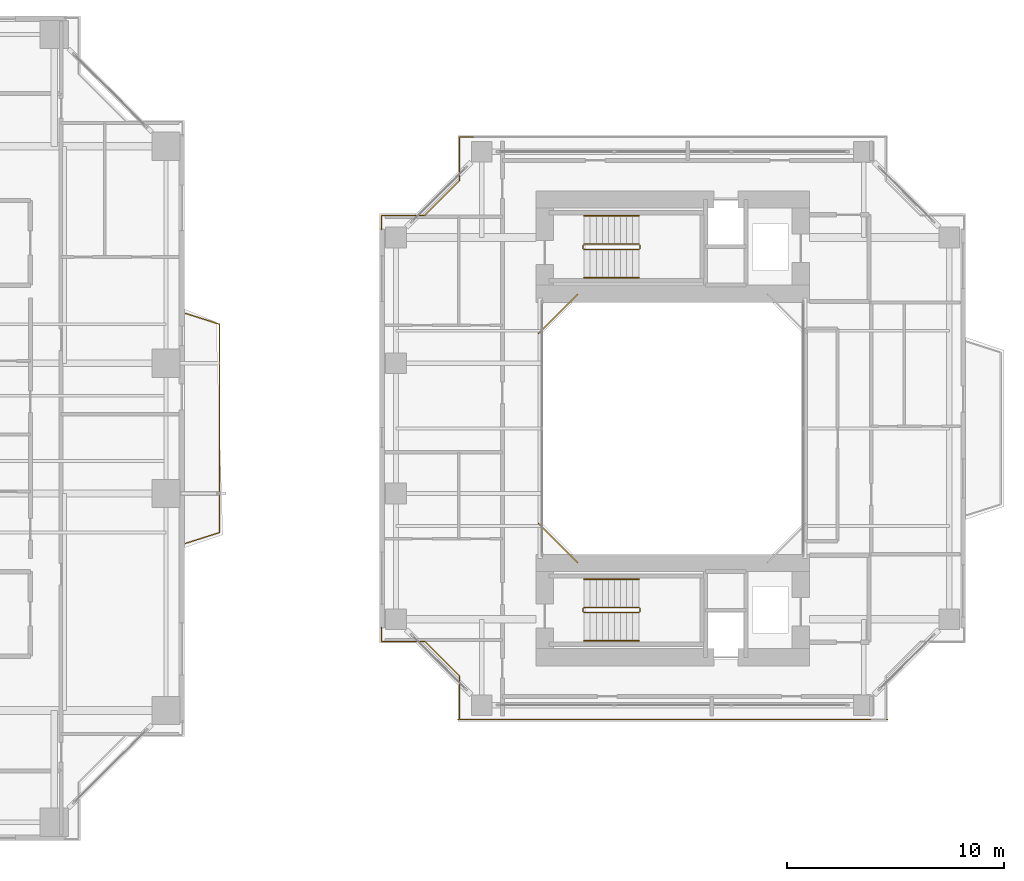
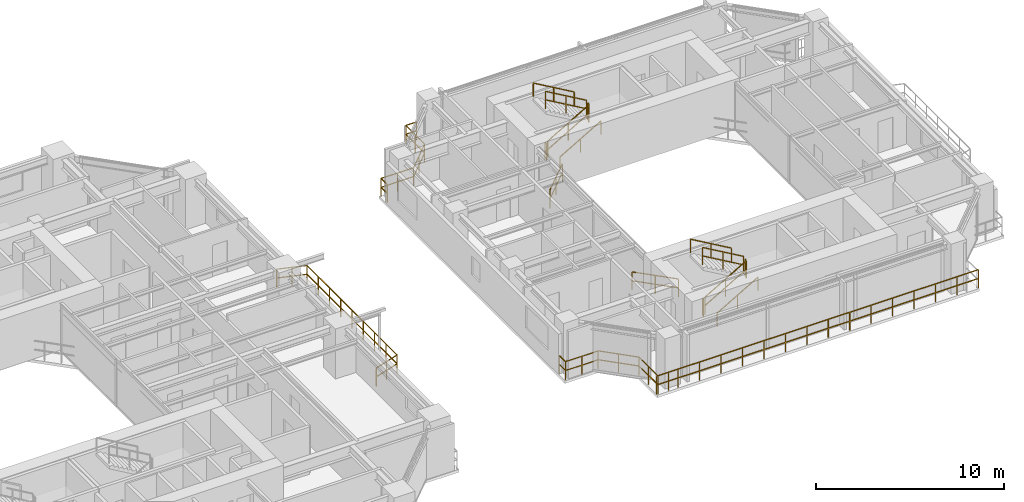
# One storey, part 22 of 23: 18 railings.
"""IFC4 building model written with IfcOpenShell, lengths in metres."""

import ifcopenshell
import ifcopenshell.guid

model = None  # the IFC model being written
_history = None  # IfcOwnerHistory: only IFC2X3 demands one
_inside = {}  # id of a spatial element -> (the spatial element, [elements in it])
_under = {}  # id of a project, library or spatial element -> (it, [spatial elements below it])
_declared = {}  # id of a project -> (the project, [libraries it declares])
_typed = {}  # id of a type object -> (the type object, [elements of that type])
_made_of = {}  # id of a material, layer set ... -> (it, [elements and type objects made of it])


def new_model(schema):
    """Start an empty IFC model of exactly this schema.

    Asked for "IFC4X3", IfcOpenShell would pick the latest addendum, in which some entities
    have other attributes; the version numbers below select the first issue.
    IFC2X3 requires an IfcOwnerHistory on every rooted entity: one is made here for all.
    """
    global model, _history
    if schema == "IFC4X3":
        model = ifcopenshell.file(schema_version=(4, 3, 0, 0))
    else:
        model = ifcopenshell.file(schema=schema)
    _inside.clear()
    _under.clear()
    _declared.clear()
    _typed.clear()
    _made_of.clear()
    _history = None
    if model.schema == "IFC2X3":
        org = make("IfcOrganization", Name="unknown")
        user = make(
            "IfcPersonAndOrganization",
            ThePerson=make("IfcPerson", FamilyName="unknown"),
            TheOrganization=org,
        )
        app = make(
            "IfcApplication",
            ApplicationDeveloper=org,
            Version="unknown",
            ApplicationFullName="unknown",
            ApplicationIdentifier="unknown",
        )
        _history = make(
            "IfcOwnerHistory",
            OwningUser=user,
            OwningApplication=app,
            ChangeAction="ADDED",
            CreationDate=0,
        )
    return model


def make(cls, **values):
    """One entity of the class cls with the attributes given. An attribute that is None is left unset."""
    return model.create_entity(
        cls, **{name: value for name, value in values.items() if value is not None}
    )


def rooted(cls, **values):
    """An entity with a GlobalId (a new one), such as an element, a storey or a relation."""
    return make(cls, GlobalId=ifcopenshell.guid.new(), OwnerHistory=_history, **values)


def si_unit(unit_type, name, prefix=None):
    """IfcSIUnit, for example si_unit("LENGTHUNIT", "METRE", prefix="MILLI")."""
    return make("IfcSIUnit", UnitType=unit_type, Prefix=prefix, Name=name)


def assignment(units):
    """IfcUnitAssignment: the units of a project."""
    return None if units is None else make("IfcUnitAssignment", Units=units)


def point(xyz):
    """IfcCartesianPoint."""
    return None if xyz is None else make("IfcCartesianPoint", Coordinates=xyz)


def direction(xyz):
    """IfcDirection."""
    return None if xyz is None else make("IfcDirection", DirectionRatios=xyz)


def frame(location, z_axis=None, x_axis=None):
    """IfcAxis2Placement3D, a coordinate frame: its origin and axes. An axis left out is left unset."""
    return make(
        "IfcAxis2Placement3D",
        Location=point(location),
        Axis=direction(z_axis),
        RefDirection=direction(x_axis),
    )


def frame_2d(location, x_axis=None):
    """IfcAxis2Placement2D, a coordinate frame in the plane: its origin and x axis."""
    return make(
        "IfcAxis2Placement2D", Location=point(location), RefDirection=direction(x_axis)
    )


def origin():
    """The frame at (0, 0, 0) with its axes left unset."""
    return frame((0.0, 0.0, 0.0))


def origin_2d():
    """The frame at (0, 0) in the plane with its x axis left unset."""
    return frame_2d((0.0, 0.0))


def place(relative_to, where):
    """IfcLocalPlacement: puts the frame where relative to a parent placement (None: the world)."""
    return make(
        "IfcLocalPlacement", PlacementRelTo=relative_to, RelativePlacement=where
    )


def context(
    kind, dimensions, precision=None, world=None, true_north=None, identifier=None
):
    """IfcGeometricRepresentationContext, for example the 3D "Model" context."""
    return make(
        "IfcGeometricRepresentationContext",
        ContextIdentifier=identifier,
        ContextType=kind,
        CoordinateSpaceDimension=dimensions,
        Precision=precision,
        WorldCoordinateSystem=world,
        TrueNorth=true_north,
    )


def subcontext(parent, identifier, kind, view, scale=None):
    """IfcGeometricRepresentationSubContext, for example "Body" below "Model"."""
    return make(
        "IfcGeometricRepresentationSubContext",
        ContextIdentifier=identifier,
        ContextType=kind,
        ParentContext=parent,
        TargetScale=scale,
        TargetView=view,
    )


def project(units=None, contexts=None):
    """IfcProject with its units and contexts."""
    return rooted(
        "IfcProject",
        Name="project",
        RepresentationContexts=contexts,
        UnitsInContext=assignment(units),
    )


def spatial(cls, under=None, at=None, **own):
    """A site, building, storey or space (cls), placed at a placement, below another one or the project."""
    s = rooted(cls, ObjectPlacement=at, **own)
    if under is not None:
        _under.setdefault(under.id(), (under, []))[1].append(s)
    return s


def profile(cls, at=None, kind="AREA", **sizes):
    """A parametric profile (cls). Its sizes go by their IFC names, for example OverallWidth=200.0."""
    return make(cls, ProfileType=kind, Position=at, **sizes)


def rectangle(**sizes):
    """IfcRectangleProfileDef."""
    return profile("IfcRectangleProfileDef", **sizes)


def extrude(swept, where, along, depth):
    """IfcExtrudedAreaSolid: the profile swept, set in the frame where, extruded along a direction by depth."""
    return make(
        "IfcExtrudedAreaSolid",
        SweptArea=swept,
        Position=where,
        ExtrudedDirection=direction(along),
        Depth=depth,
    )


def shape(context_of_items, identifier, shape_type, items):
    """IfcShapeRepresentation: the items that make up one representation, for example the "Body"."""
    return make(
        "IfcShapeRepresentation",
        ContextOfItems=context_of_items,
        RepresentationIdentifier=identifier,
        RepresentationType=shape_type,
        Items=items,
    )


def material(Name=None, Category=None):
    """IfcMaterial."""
    return make("IfcMaterial", Name=Name, Category=Category)


def made_of(thing, what):
    """Note that an element or type object is made of a material, layer set ...; save() writes the relation."""
    if what is not None:
        _made_of.setdefault(what.id(), (what, []))[1].append(thing)
    return thing


def type_object(cls, material=None, **own):
    """A type object (cls), such as IfcWallType, which elements share."""
    return made_of(rooted(cls, **own), material)


def element(
    cls,
    number,
    at=None,
    inside=None,
    cuts=None,
    type_object=None,
    material=None,
    context=None,
    identifier="Body",
    shape_type=None,
    held_by="IfcProductDefinitionShape",
    body=None,
    shapes=None,
    **own,
):
    """One element of the class cls, such as IfcWall. Its Tag is "e" and its number.

    at: its placement. inside: the storey or other place that contains it. cuts: it is an
    opening in that element (IfcRelVoidsElement). A single representation is given by context,
    identifier, shape_type and body (its items); several are given by shapes. held_by: the class
    of the entity that holds the representations. save() writes the other relations.
    """
    e = rooted(cls, Tag="e%d" % number, ObjectPlacement=at, **own)
    if body is not None:
        shapes = [shape(context, identifier, shape_type, body)]
    if shapes is not None:
        e.Representation = make(held_by, Representations=shapes)
    if inside is not None:
        _inside.setdefault(inside.id(), (inside, []))[1].append(e)
    if cuts is not None:
        rooted(
            "IfcRelVoidsElement", RelatingBuildingElement=cuts, RelatedOpeningElement=e
        )
    if type_object is not None:
        _typed.setdefault(type_object.id(), (type_object, []))[1].append(e)
    return made_of(e, material)


def aggregate(whole, parts):
    """IfcRelAggregates: a whole, such as a stair, and the parts it consists of."""
    return rooted("IfcRelAggregates", RelatingObject=whole, RelatedObjects=parts)


def save(model, path):
    """Write the relations noted so far, then the file.

    IfcRelAggregates (storeys below a building ...), IfcRelContainedInSpatialStructure (elements
    in a storey), IfcRelDefinesByType, IfcRelAssociatesMaterial and IfcRelDeclares: one each for
    every whole, place, type object, material and project.
    """
    for whole, parts in _under.values():
        aggregate(whole, parts)
    for where, things in _inside.values():
        rooted(
            "IfcRelContainedInSpatialStructure",
            RelatedElements=things,
            RelatingStructure=where,
        )
    for kind, things in _typed.values():
        rooted("IfcRelDefinesByType", RelatedObjects=things, RelatingType=kind)
    for what, things in _made_of.values():
        rooted("IfcRelAssociatesMaterial", RelatedObjects=things, RelatingMaterial=what)
    for by, libraries in _declared.values():
        rooted("IfcRelDeclares", RelatingContext=by, RelatedDefinitions=libraries)
    model.write(path)


model = new_model("IFC4")

# Units and contexts
model_context = context("Model", 3, precision=1e-05, world=origin(), true_north=direction((0.0, 1.0)))
body_context = subcontext(model_context, "Body", "Model", "MODEL_VIEW")
ifc_project = project(units=[si_unit("LENGTHUNIT", "METRE"), si_unit("AREAUNIT", "SQUARE_METRE"), si_unit("VOLUMEUNIT", "CUBIC_METRE"), si_unit("PLANEANGLEUNIT", "RADIAN"), si_unit("MASSUNIT", "GRAM", prefix="KILO"), si_unit("THERMODYNAMICTEMPERATUREUNIT", "KELVIN"), si_unit("POWERUNIT", "WATT")], contexts=[model_context])

# Site, building, storey
site_placement = place(None, origin())
site = spatial("IfcSite", under=ifc_project, at=site_placement, CompositionType="ELEMENT")
building_placement = place(site_placement, origin())
building = spatial("IfcBuilding", under=site, at=building_placement, Name="Qiaomeng Ring Towers", CompositionType="ELEMENT")
storey_placement = place(building_placement, frame((0.0, 0.0, 26.25)))
storey = spatial("IfcBuildingStorey", under=building, at=storey_placement, Name="L06", CompositionType="ELEMENT", Elevation=26.25)

# Railings
ifc_material_1 = material(Name="Low-E pale-green laminated safety glass", Category="glass")
railing_type_1 = type_object("IfcRailingType", Name="ARC-RL-BAL1", PredefinedType="BALUSTRADE", material=ifc_material_1)
railing_1_placement = place(storey_placement, frame((38.050048828125, 17.699951171875, 0.0)))
element("IfcRailing", 1, at=railing_1_placement, inside=storey, type_object=railing_type_1, Name="L06 Balustrade ARC-BAL-L06-T1-E", PredefinedType="BALUSTRADE", context=body_context, shape_type="SweptSolid", body=[
    extrude(rectangle(XDim=0.048095703125, YDim=0.048095703125, at=origin_2d()), frame((0.0, 0.0, 1.17578125), z_axis=(0.952849860715, 0.303442157479, 0.0), x_axis=(-0.303442157479, 0.952849860715, 0.0)), (0.0, 0.0, 1.0), 1.647705078125),
    extrude(rectangle(XDim=0.048095703125, YDim=0.048095703125, at=origin_2d()), frame((0.0, 0.0, 0.60009765625), z_axis=(0.952849860715, 0.303442157479, 0.0), x_axis=(-0.303442157479, 0.952849860715, 0.0)), (0.0, 0.0, 1.0), 1.647705078125),
    extrude(rectangle(XDim=0.048095703125, YDim=0.048095703125, at=origin_2d()), frame((1.570068359375, 0.5, 1.17578125), z_axis=(0.0, 1.0, 0.0), x_axis=(-1.0, 0.0, 0.0)), (0.0, 0.0, 1.0), 9.60009765625),
    extrude(rectangle(XDim=0.048095703125, YDim=0.048095703125, at=origin_2d()), frame((1.570068359375, 0.5, 0.60009765625), z_axis=(0.0, 1.0, 0.0), x_axis=(-1.0, 0.0, 0.0)), (0.0, 0.0, 1.0), 9.60009765625),
    extrude(rectangle(XDim=0.048095703125, YDim=0.048095703125, at=origin_2d()), frame((1.570068359375, 10.10009765625, 1.17578125), z_axis=(-0.952849860715, 0.303442157479, 0.0), x_axis=(-0.303442157479, -0.952849860715, 0.0)), (0.0, 0.0, 1.0), 1.647705078125),
    extrude(rectangle(XDim=0.048095703125, YDim=0.048095703125, at=origin_2d()), frame((1.570068359375, 10.10009765625, 0.60009765625), z_axis=(-0.952849860715, 0.303442157479, 0.0), x_axis=(-0.303442157479, -0.952849860715, 0.0)), (0.0, 0.0, 1.0), 1.647705078125),
    extrude(rectangle(XDim=0.0419921875, YDim=0.0419921875, at=origin_2d()), origin(), (0.0, 0.0, 1.0), 1.15185546875),
    extrude(rectangle(XDim=0.0419921875, YDim=0.0419921875, at=origin_2d()), frame((0.78515625, 0.25, 0.0)), (0.0, 0.0, 1.0), 1.15185546875),
    extrude(rectangle(XDim=0.0419921875, YDim=0.0419921875, at=origin_2d()), frame((1.570068359375, 0.5, 0.0)), (0.0, 0.0, 1.0), 1.15185546875),
    extrude(rectangle(XDim=0.0419921875, YDim=0.0419921875, at=origin_2d()), frame((1.570068359375, 1.699951171875, 0.0)), (0.0, 0.0, 1.0), 1.15185546875),
    extrude(rectangle(XDim=0.0419921875, YDim=0.0419921875, at=origin_2d()), frame((1.570068359375, 2.89990234375, 0.0)), (0.0, 0.0, 1.0), 1.15185546875),
    extrude(rectangle(XDim=0.0419921875, YDim=0.0419921875, at=origin_2d()), frame((1.570068359375, 4.10009765625, 0.0)), (0.0, 0.0, 1.0), 1.15185546875),
    extrude(rectangle(XDim=0.0419921875, YDim=0.0419921875, at=origin_2d()), frame((1.570068359375, 5.300048828125, 0.0)), (0.0, 0.0, 1.0), 1.15185546875),
    extrude(rectangle(XDim=0.0419921875, YDim=0.0419921875, at=origin_2d()), frame((1.570068359375, 6.5, 0.0)), (0.0, 0.0, 1.0), 1.15185546875),
    extrude(rectangle(XDim=0.0419921875, YDim=0.0419921875, at=origin_2d()), frame((1.570068359375, 7.7001953125, 0.0)), (0.0, 0.0, 1.0), 1.15185546875),
    extrude(rectangle(XDim=0.0419921875, YDim=0.0419921875, at=origin_2d()), frame((1.570068359375, 8.900146484375, 0.0)), (0.0, 0.0, 1.0), 1.15185546875),
    extrude(rectangle(XDim=0.0419921875, YDim=0.0419921875, at=origin_2d()), frame((1.570068359375, 10.10009765625, 0.0)), (0.0, 0.0, 1.0), 1.15185546875),
    extrude(rectangle(XDim=0.0419921875, YDim=0.0419921875, at=origin_2d()), frame((0.78515625, 10.35009765625, 0.0)), (0.0, 0.0, 1.0), 1.15185546875),
    extrude(rectangle(XDim=0.0419921875, YDim=0.0419921875, at=origin_2d()), frame((0.0, 10.60009765625, 0.0)), (0.0, 0.0, 1.0), 1.15185546875),
])
railing_2_placement = place(storey_placement, frame((56.1201171875, 29.179931640625, 0.0)))
element("IfcRailing", 2, at=railing_2_placement, inside=storey, type_object=railing_type_1, Name="L06 Balustrade ARC-BAL-WELL2-L06-3", PredefinedType="BALUSTRADE", context=body_context, shape_type="SweptSolid", body=[
    extrude(rectangle(XDim=0.048095703125, YDim=0.048095703125, at=origin_2d()), frame((0.0, 0.0, 1.17578125), z_axis=(-0.707106781187, -0.707106781187, 0.0), x_axis=(0.707106781187, -0.707106781187, 0.0)), (0.0, 0.0, 1.0), 2.545654296875),
    extrude(rectangle(XDim=0.048095703125, YDim=0.048095703125, at=origin_2d()), frame((0.0, 0.0, 0.60009765625), z_axis=(-0.707106781187, -0.707106781187, 0.0), x_axis=(0.707106781187, -0.707106781187, 0.0)), (0.0, 0.0, 1.0), 2.545654296875),
    extrude(rectangle(XDim=0.0419921875, YDim=0.0419921875, at=origin_2d()), origin(), (0.0, 0.0, 1.0), 1.15185546875),
    extrude(rectangle(XDim=0.0419921875, YDim=0.0419921875, at=origin_2d()), frame((-0.89990234375, -0.89990234375, 0.0)), (0.0, 0.0, 1.0), 1.15185546875),
    extrude(rectangle(XDim=0.0419921875, YDim=0.0419921875, at=origin_2d()), frame((-1.800048828125, -1.800048828125, 0.0)), (0.0, 0.0, 1.0), 1.15185546875),
])
railing_3_placement = place(storey_placement, frame((54.320068359375, 18.6201171875, 0.0)))
element("IfcRailing", 3, at=railing_3_placement, inside=storey, type_object=railing_type_1, Name="L06 Balustrade ARC-BAL-WELL2-L06-4", PredefinedType="BALUSTRADE", context=body_context, shape_type="SweptSolid", body=[
    extrude(rectangle(XDim=0.048095703125, YDim=0.048095703125, at=origin_2d()), frame((0.0, 0.0, 1.17578125), z_axis=(0.707106781187, -0.707106781187, 0.0), x_axis=(0.707106781187, 0.707106781187, 0.0)), (0.0, 0.0, 1.0), 2.545654296875),
    extrude(rectangle(XDim=0.048095703125, YDim=0.048095703125, at=origin_2d()), frame((0.0, 0.0, 0.60009765625), z_axis=(0.707106781187, -0.707106781187, 0.0), x_axis=(0.707106781187, 0.707106781187, 0.0)), (0.0, 0.0, 1.0), 2.545654296875),
    extrude(rectangle(XDim=0.0419921875, YDim=0.0419921875, at=origin_2d()), origin(), (0.0, 0.0, 1.0), 1.15185546875),
    extrude(rectangle(XDim=0.0419921875, YDim=0.0419921875, at=origin_2d()), frame((0.89990234375, -0.89990234375, 0.0)), (0.0, 0.0, 1.0), 1.15185546875),
    extrude(rectangle(XDim=0.0419921875, YDim=0.0419921875, at=origin_2d()), frame((1.800048828125, -1.800048828125, 0.0)), (0.0, 0.0, 1.0), 1.15185546875),
])
railing_4_placement = place(storey_placement, frame((51.330078125, 36.419921875, 0.0)))
element("IfcRailing", 4, at=railing_4_placement, inside=storey, type_object=railing_type_1, Name="L06 Balustrade ARC-BAL-NOTCH2-L06-NW", PredefinedType="BALUSTRADE", context=body_context, shape_type="SweptSolid", body=[
    extrude(rectangle(XDim=0.048095703125, YDim=0.048095703125, at=origin_2d()), frame((0.0, 0.0, 1.17578125), z_axis=(-1.0, 0.0, 0.0), x_axis=(0.0, -1.0, 0.0)), (0.0, 0.0, 1.0), 0.650146484375),
    extrude(rectangle(XDim=0.048095703125, YDim=0.048095703125, at=origin_2d()), frame((0.0, 0.0, 0.60009765625), z_axis=(-1.0, 0.0, 0.0), x_axis=(0.0, -1.0, 0.0)), (0.0, 0.0, 1.0), 0.650146484375),
    extrude(rectangle(XDim=0.048095703125, YDim=0.048095703125, at=origin_2d()), frame((-0.650146484375, 0.0, 1.17578125), z_axis=(0.0, -1.0, 0.0), x_axis=(1.0, 0.0, 0.0)), (0.0, 0.0, 1.0), 2.0),
    extrude(rectangle(XDim=0.048095703125, YDim=0.048095703125, at=origin_2d()), frame((-0.650146484375, 0.0, 0.60009765625), z_axis=(0.0, -1.0, 0.0), x_axis=(1.0, 0.0, 0.0)), (0.0, 0.0, 1.0), 2.0),
    extrude(rectangle(XDim=0.048095703125, YDim=0.048095703125, at=origin_2d()), frame((-0.650146484375, -2.0, 1.17578125), z_axis=(-0.707106781187, -0.707106781187, 0.0), x_axis=(0.707106781187, -0.707106781187, 0.0)), (0.0, 0.0, 1.0), 2.262451171875),
    extrude(rectangle(XDim=0.048095703125, YDim=0.048095703125, at=origin_2d()), frame((-0.650146484375, -2.0, 0.60009765625), z_axis=(-0.707106781187, -0.707106781187, 0.0), x_axis=(0.707106781187, -0.707106781187, 0.0)), (0.0, 0.0, 1.0), 2.262451171875),
    extrude(rectangle(XDim=0.048095703125, YDim=0.048095703125, at=origin_2d()), frame((-2.25, -3.599853515625, 1.17578125), z_axis=(-1.0, 0.0, 0.0), x_axis=(0.0, -1.0, 0.0)), (0.0, 0.0, 1.0), 2.0),
    extrude(rectangle(XDim=0.048095703125, YDim=0.048095703125, at=origin_2d()), frame((-2.25, -3.599853515625, 0.60009765625), z_axis=(-1.0, 0.0, 0.0), x_axis=(0.0, -1.0, 0.0)), (0.0, 0.0, 1.0), 2.0),
    extrude(rectangle(XDim=0.048095703125, YDim=0.048095703125, at=origin_2d()), frame((-4.25, -3.599853515625, 1.17578125), z_axis=(0.0, -1.0, 0.0), x_axis=(1.0, 0.0, 0.0)), (0.0, 0.0, 1.0), 0.650146484375),
    extrude(rectangle(XDim=0.048095703125, YDim=0.048095703125, at=origin_2d()), frame((-4.25, -3.599853515625, 0.60009765625), z_axis=(0.0, -1.0, 0.0), x_axis=(1.0, 0.0, 0.0)), (0.0, 0.0, 1.0), 0.650146484375),
    extrude(rectangle(XDim=0.0419921875, YDim=0.0419921875, at=origin_2d()), origin(), (0.0, 0.0, 1.0), 1.15185546875),
    extrude(rectangle(XDim=0.0419921875, YDim=0.0419921875, at=origin_2d()), frame((-0.650146484375, 0.0, 0.0)), (0.0, 0.0, 1.0), 1.15185546875),
    extrude(rectangle(XDim=0.0419921875, YDim=0.0419921875, at=origin_2d()), frame((-0.650146484375, -1.0, 0.0)), (0.0, 0.0, 1.0), 1.15185546875),
    extrude(rectangle(XDim=0.0419921875, YDim=0.0419921875, at=origin_2d()), frame((-0.650146484375, -2.0, 0.0)), (0.0, 0.0, 1.0), 1.15185546875),
    extrude(rectangle(XDim=0.0419921875, YDim=0.0419921875, at=origin_2d()), frame((-1.4501953125, -2.7998046875, 0.0)), (0.0, 0.0, 1.0), 1.15185546875),
    extrude(rectangle(XDim=0.0419921875, YDim=0.0419921875, at=origin_2d()), frame((-2.25, -3.599853515625, 0.0)), (0.0, 0.0, 1.0), 1.15185546875),
    extrude(rectangle(XDim=0.0419921875, YDim=0.0419921875, at=origin_2d()), frame((-3.25, -3.599853515625, 0.0)), (0.0, 0.0, 1.0), 1.15185546875),
    extrude(rectangle(XDim=0.0419921875, YDim=0.0419921875, at=origin_2d()), frame((-4.25, -3.599853515625, 0.0)), (0.0, 0.0, 1.0), 1.15185546875),
    extrude(rectangle(XDim=0.0419921875, YDim=0.0419921875, at=origin_2d()), frame((-4.25, -4.25, 0.0)), (0.0, 0.0, 1.0), 1.15185546875),
])
railing_5_placement = place(storey_placement, frame((47.080078125, 13.830078125, 0.0)))
element("IfcRailing", 5, at=railing_5_placement, inside=storey, type_object=railing_type_1, Name="L06 Balustrade ARC-BAL-NOTCH2-L06-SW", PredefinedType="BALUSTRADE", context=body_context, shape_type="SweptSolid", body=[
    extrude(rectangle(XDim=0.048095703125, YDim=0.048095703125, at=origin_2d()), frame((0.0, 0.0, 1.17578125), z_axis=(0.0, -1.0, 0.0), x_axis=(1.0, 0.0, 0.0)), (0.0, 0.0, 1.0), 0.650146484375),
    extrude(rectangle(XDim=0.048095703125, YDim=0.048095703125, at=origin_2d()), frame((0.0, 0.0, 0.60009765625), z_axis=(0.0, -1.0, 0.0), x_axis=(1.0, 0.0, 0.0)), (0.0, 0.0, 1.0), 0.650146484375),
    extrude(rectangle(XDim=0.048095703125, YDim=0.048095703125, at=origin_2d()), frame((0.0, -0.650146484375, 1.17578125), z_axis=(1.0, 0.0, 0.0), x_axis=(0.0, 1.0, 0.0)), (0.0, 0.0, 1.0), 2.0),
    extrude(rectangle(XDim=0.048095703125, YDim=0.048095703125, at=origin_2d()), frame((0.0, -0.650146484375, 0.60009765625), z_axis=(1.0, 0.0, 0.0), x_axis=(0.0, 1.0, 0.0)), (0.0, 0.0, 1.0), 2.0),
    extrude(rectangle(XDim=0.048095703125, YDim=0.048095703125, at=origin_2d()), frame((2.0, -0.650146484375, 1.17578125), z_axis=(0.707106781187, -0.707106781187, 0.0), x_axis=(0.707106781187, 0.707106781187, 0.0)), (0.0, 0.0, 1.0), 2.262451171875),
    extrude(rectangle(XDim=0.048095703125, YDim=0.048095703125, at=origin_2d()), frame((2.0, -0.650146484375, 0.60009765625), z_axis=(0.707106781187, -0.707106781187, 0.0), x_axis=(0.707106781187, 0.707106781187, 0.0)), (0.0, 0.0, 1.0), 2.262451171875),
    extrude(rectangle(XDim=0.048095703125, YDim=0.048095703125, at=origin_2d()), frame((3.599853515625, -2.25, 1.17578125), z_axis=(0.0, -1.0, 0.0), x_axis=(1.0, 0.0, 0.0)), (0.0, 0.0, 1.0), 2.0),
    extrude(rectangle(XDim=0.048095703125, YDim=0.048095703125, at=origin_2d()), frame((3.599853515625, -2.25, 0.60009765625), z_axis=(0.0, -1.0, 0.0), x_axis=(1.0, 0.0, 0.0)), (0.0, 0.0, 1.0), 2.0),
    extrude(rectangle(XDim=0.048095703125, YDim=0.048095703125, at=origin_2d()), frame((3.599853515625, -4.25, 1.17578125), z_axis=(1.0, 0.0, 0.0), x_axis=(0.0, 1.0, 0.0)), (0.0, 0.0, 1.0), 0.650146484375),
    extrude(rectangle(XDim=0.048095703125, YDim=0.048095703125, at=origin_2d()), frame((3.599853515625, -4.25, 0.60009765625), z_axis=(1.0, 0.0, 0.0), x_axis=(0.0, 1.0, 0.0)), (0.0, 0.0, 1.0), 0.650146484375),
    extrude(rectangle(XDim=0.0419921875, YDim=0.0419921875, at=origin_2d()), origin(), (0.0, 0.0, 1.0), 1.15185546875),
    extrude(rectangle(XDim=0.0419921875, YDim=0.0419921875, at=origin_2d()), frame((0.0, -0.650146484375, 0.0)), (0.0, 0.0, 1.0), 1.15185546875),
    extrude(rectangle(XDim=0.0419921875, YDim=0.0419921875, at=origin_2d()), frame((1.0, -0.650146484375, 0.0)), (0.0, 0.0, 1.0), 1.15185546875),
    extrude(rectangle(XDim=0.0419921875, YDim=0.0419921875, at=origin_2d()), frame((2.0, -0.650146484375, 0.0)), (0.0, 0.0, 1.0), 1.15185546875),
    extrude(rectangle(XDim=0.0419921875, YDim=0.0419921875, at=origin_2d()), frame((2.7998046875, -1.4501953125, 0.0)), (0.0, 0.0, 1.0), 1.15185546875),
    extrude(rectangle(XDim=0.0419921875, YDim=0.0419921875, at=origin_2d()), frame((3.599853515625, -2.25, 0.0)), (0.0, 0.0, 1.0), 1.15185546875),
    extrude(rectangle(XDim=0.0419921875, YDim=0.0419921875, at=origin_2d()), frame((3.599853515625, -3.25, 0.0)), (0.0, 0.0, 1.0), 1.15185546875),
    extrude(rectangle(XDim=0.0419921875, YDim=0.0419921875, at=origin_2d()), frame((3.599853515625, -4.25, 0.0)), (0.0, 0.0, 1.0), 1.15185546875),
    extrude(rectangle(XDim=0.0419921875, YDim=0.0419921875, at=origin_2d()), frame((4.25, -4.25, 0.0)), (0.0, 0.0, 1.0), 1.15185546875),
])
railing_6_placement = place(storey_placement, frame((50.60009765625, 9.580078125, 0.0)))
element("IfcRailing", 6, at=railing_6_placement, inside=storey, type_object=railing_type_1, Name="L06 Balustrade ARC-BAL-T2S-L06", PredefinedType="BALUSTRADE", context=body_context, shape_type="SweptSolid", body=[
    extrude(rectangle(XDim=0.048095703125, YDim=0.048095703125, at=origin_2d()), frame((0.0, 0.0, 1.17578125), z_axis=(1.0, 0.0, 0.0), x_axis=(0.0, 1.0, 0.0)), (0.0, 0.0, 1.0), 19.7998046875),
    extrude(rectangle(XDim=0.048095703125, YDim=0.048095703125, at=origin_2d()), frame((0.0, 0.0, 0.60009765625), z_axis=(1.0, 0.0, 0.0), x_axis=(0.0, 1.0, 0.0)), (0.0, 0.0, 1.0), 19.7998046875),
    extrude(rectangle(XDim=0.0419921875, YDim=0.0419921875, at=origin_2d()), origin(), (0.0, 0.0, 1.0), 1.15185546875),
    extrude(rectangle(XDim=0.0419921875, YDim=0.0419921875, at=origin_2d()), frame((1.320068359375, 0.0, 0.0)), (0.0, 0.0, 1.0), 1.15185546875),
    extrude(rectangle(XDim=0.0419921875, YDim=0.0419921875, at=origin_2d()), frame((2.639892578125, 0.0, 0.0)), (0.0, 0.0, 1.0), 1.15185546875),
    extrude(rectangle(XDim=0.0419921875, YDim=0.0419921875, at=origin_2d()), frame((3.9599609375, 0.0, 0.0)), (0.0, 0.0, 1.0), 1.15185546875),
    extrude(rectangle(XDim=0.0419921875, YDim=0.0419921875, at=origin_2d()), frame((5.280029296875, 0.0, 0.0)), (0.0, 0.0, 1.0), 1.15185546875),
    extrude(rectangle(XDim=0.0419921875, YDim=0.0419921875, at=origin_2d()), frame((6.599853515625, 0.0, 0.0)), (0.0, 0.0, 1.0), 1.15185546875),
    extrude(rectangle(XDim=0.0419921875, YDim=0.0419921875, at=origin_2d()), frame((7.919921875, 0.0, 0.0)), (0.0, 0.0, 1.0), 1.15185546875),
    extrude(rectangle(XDim=0.0419921875, YDim=0.0419921875, at=origin_2d()), frame((9.239990234375, 0.0, 0.0)), (0.0, 0.0, 1.0), 1.15185546875),
    extrude(rectangle(XDim=0.0419921875, YDim=0.0419921875, at=origin_2d()), frame((10.559814453125, 0.0, 0.0)), (0.0, 0.0, 1.0), 1.15185546875),
    extrude(rectangle(XDim=0.0419921875, YDim=0.0419921875, at=origin_2d()), frame((11.8798828125, 0.0, 0.0)), (0.0, 0.0, 1.0), 1.15185546875),
    extrude(rectangle(XDim=0.0419921875, YDim=0.0419921875, at=origin_2d()), frame((13.199951171875, 0.0, 0.0)), (0.0, 0.0, 1.0), 1.15185546875),
    extrude(rectangle(XDim=0.0419921875, YDim=0.0419921875, at=origin_2d()), frame((14.519775390625, 0.0, 0.0)), (0.0, 0.0, 1.0), 1.15185546875),
    extrude(rectangle(XDim=0.0419921875, YDim=0.0419921875, at=origin_2d()), frame((15.83984375, 0.0, 0.0)), (0.0, 0.0, 1.0), 1.15185546875),
    extrude(rectangle(XDim=0.0419921875, YDim=0.0419921875, at=origin_2d()), frame((17.159912109375, 0.0, 0.0)), (0.0, 0.0, 1.0), 1.15185546875),
    extrude(rectangle(XDim=0.0419921875, YDim=0.0419921875, at=origin_2d()), frame((18.479736328125, 0.0, 0.0)), (0.0, 0.0, 1.0), 1.15185546875),
    extrude(rectangle(XDim=0.0419921875, YDim=0.0419921875, at=origin_2d()), frame((19.7998046875, 0.0, 0.0)), (0.0, 0.0, 1.0), 1.15185546875),
])
ifc_material_2 = material(Name="Galvanised steel", Category="steel")
railing_type_2 = type_object("IfcRailingType", Name="ARC-RL-GUARD", PredefinedType="GUARDRAIL", material=ifc_material_2)
railing_7_placement = place(storey_placement, frame((56.419921875, 31.25, 0.16259765625)))
element("IfcRailing", 7, at=railing_7_placement, inside=storey, type_object=railing_type_2, Name="L06 ST5 stair guard 1", PredefinedType="GUARDRAIL", context=body_context, shape_type="SweptSolid", body=[
    extrude(rectangle(XDim=0.048095703125, YDim=0.048095703125, at=origin_2d()), frame((0.0, 0.0, 1.1259765625), z_axis=(0.864913338283, 0.0, 0.50192122615), x_axis=(0.0, 1.0, 0.0)), (0.0, 0.0, 1.0), 2.91357421875),
    extrude(rectangle(XDim=0.048095703125, YDim=0.048095703125, at=origin_2d()), frame((0.0, 0.0, 0.574951171875), z_axis=(0.864913338283, 0.0, 0.50192122615), x_axis=(0.0, 1.0, 0.0)), (0.0, 0.0, 1.0), 2.91357421875),
    extrude(rectangle(XDim=0.0419921875, YDim=0.0419921875, at=origin_2d()), origin(), (0.0, 0.0, 1.0), 1.101806640625),
    extrude(rectangle(XDim=0.0419921875, YDim=0.0419921875, at=origin_2d()), frame((1.260009765625, 0.0, 0.731201171875)), (0.0, 0.0, 1.0), 1.101806640625),
    extrude(rectangle(XDim=0.0419921875, YDim=0.0419921875, at=origin_2d()), frame((2.52001953125, 0.0, 1.46240234375)), (0.0, 0.0, 1.0), 1.101806640625),
])
railing_8_placement = place(storey_placement, frame((58.989990234375, 31.300048828125, 1.625)))
element("IfcRailing", 8, at=railing_8_placement, inside=storey, type_object=railing_type_2, Name="L06 ST5 stair guard 2", PredefinedType="GUARDRAIL", context=body_context, shape_type="SweptSolid", body=[
    extrude(rectangle(XDim=0.048095703125, YDim=0.048095703125, at=origin_2d()), frame((0.0, 0.0, 1.1259765625), z_axis=(0.0, 1.0, 0.0), x_axis=(-1.0, 0.0, 0.0)), (0.0, 0.0, 1.0), 0.139892578125),
    extrude(rectangle(XDim=0.048095703125, YDim=0.048095703125, at=origin_2d()), frame((0.0, 0.0, 0.574951171875), z_axis=(0.0, 1.0, 0.0), x_axis=(-1.0, 0.0, 0.0)), (0.0, 0.0, 1.0), 0.139892578125),
    extrude(rectangle(XDim=0.0419921875, YDim=0.0419921875, at=origin_2d()), origin(), (0.0, 0.0, 1.0), 1.101806640625),
    extrude(rectangle(XDim=0.0419921875, YDim=0.0419921875, at=origin_2d()), frame((0.0, 0.139892578125, 0.0)), (0.0, 0.0, 1.0), 1.101806640625),
])
railing_9_placement = place(storey_placement, frame((58.93994140625, 31.489990234375, 1.78759765625)))
element("IfcRailing", 9, at=railing_9_placement, inside=storey, type_object=railing_type_2, Name="L06 ST5 stair guard 3", PredefinedType="GUARDRAIL", context=body_context, shape_type="SweptSolid", body=[
    extrude(rectangle(XDim=0.048095703125, YDim=0.048095703125, at=origin_2d()), frame((0.0, 0.0, 1.1259765625), z_axis=(-0.864913338283, 0.0, 0.50192122615), x_axis=(0.0, -1.0, 0.0)), (0.0, 0.0, 1.0), 2.91357421875),
    extrude(rectangle(XDim=0.048095703125, YDim=0.048095703125, at=origin_2d()), frame((0.0, 0.0, 0.574951171875), z_axis=(-0.864913338283, 0.0, 0.50192122615), x_axis=(0.0, -1.0, 0.0)), (0.0, 0.0, 1.0), 2.91357421875),
    extrude(rectangle(XDim=0.0419921875, YDim=0.0419921875, at=origin_2d()), origin(), (0.0, 0.0, 1.0), 1.101806640625),
    extrude(rectangle(XDim=0.0419921875, YDim=0.0419921875, at=origin_2d()), frame((-1.260009765625, 0.0, 0.731201171875)), (0.0, 0.0, 1.0), 1.101806640625),
    extrude(rectangle(XDim=0.0419921875, YDim=0.0419921875, at=origin_2d()), frame((-2.52001953125, 0.0, 1.46240234375)), (0.0, 0.0, 1.0), 1.101806640625),
])
railing_10_placement = place(storey_placement, frame((56.3701171875, 31.300048828125, 0.0)))
element("IfcRailing", 10, at=railing_10_placement, inside=storey, type_object=railing_type_2, Name="L06 ST5 stair guard 4", PredefinedType="GUARDRAIL", context=body_context, shape_type="SweptSolid", body=[
    extrude(rectangle(XDim=0.048095703125, YDim=0.048095703125, at=origin_2d()), frame((0.0, 0.0, 1.1259765625), z_axis=(0.0, 1.0, 0.0), x_axis=(-1.0, 0.0, 0.0)), (0.0, 0.0, 1.0), 0.139892578125),
    extrude(rectangle(XDim=0.048095703125, YDim=0.048095703125, at=origin_2d()), frame((0.0, 0.0, 0.574951171875), z_axis=(0.0, 1.0, 0.0), x_axis=(-1.0, 0.0, 0.0)), (0.0, 0.0, 1.0), 0.139892578125),
    extrude(rectangle(XDim=0.0419921875, YDim=0.0419921875, at=origin_2d()), origin(), (0.0, 0.0, 1.0), 1.101806640625),
    extrude(rectangle(XDim=0.0419921875, YDim=0.0419921875, at=origin_2d()), frame((0.0, 0.139892578125, 0.0)), (0.0, 0.0, 1.0), 1.101806640625),
])
railing_11_placement = place(storey_placement, frame((56.419921875, 14.510009765625, 0.16259765625)))
element("IfcRailing", 11, at=railing_11_placement, inside=storey, type_object=railing_type_2, Name="L06 ST6 stair guard 1", PredefinedType="GUARDRAIL", context=body_context, shape_type="SweptSolid", body=[
    extrude(rectangle(XDim=0.048095703125, YDim=0.048095703125, at=origin_2d()), frame((0.0, 0.0, 1.1259765625), z_axis=(0.864913338283, 0.0, 0.50192122615), x_axis=(0.0, 1.0, 0.0)), (0.0, 0.0, 1.0), 2.91357421875),
    extrude(rectangle(XDim=0.048095703125, YDim=0.048095703125, at=origin_2d()), frame((0.0, 0.0, 0.574951171875), z_axis=(0.864913338283, 0.0, 0.50192122615), x_axis=(0.0, 1.0, 0.0)), (0.0, 0.0, 1.0), 2.91357421875),
    extrude(rectangle(XDim=0.0419921875, YDim=0.0419921875, at=origin_2d()), origin(), (0.0, 0.0, 1.0), 1.101806640625),
    extrude(rectangle(XDim=0.0419921875, YDim=0.0419921875, at=origin_2d()), frame((1.260009765625, 0.0, 0.731201171875)), (0.0, 0.0, 1.0), 1.101806640625),
    extrude(rectangle(XDim=0.0419921875, YDim=0.0419921875, at=origin_2d()), frame((2.52001953125, 0.0, 1.46240234375)), (0.0, 0.0, 1.0), 1.101806640625),
])
railing_12_placement = place(storey_placement, frame((58.989990234375, 14.56005859375, 1.625)))
element("IfcRailing", 12, at=railing_12_placement, inside=storey, type_object=railing_type_2, Name="L06 ST6 stair guard 2", PredefinedType="GUARDRAIL", context=body_context, shape_type="SweptSolid", body=[
    extrude(rectangle(XDim=0.048095703125, YDim=0.048095703125, at=origin_2d()), frame((0.0, 0.0, 1.1259765625), z_axis=(0.0, 1.0, 0.0), x_axis=(-1.0, 0.0, 0.0)), (0.0, 0.0, 1.0), 0.139892578125),
    extrude(rectangle(XDim=0.048095703125, YDim=0.048095703125, at=origin_2d()), frame((0.0, 0.0, 0.574951171875), z_axis=(0.0, 1.0, 0.0), x_axis=(-1.0, 0.0, 0.0)), (0.0, 0.0, 1.0), 0.139892578125),
    extrude(rectangle(XDim=0.0419921875, YDim=0.0419921875, at=origin_2d()), origin(), (0.0, 0.0, 1.0), 1.101806640625),
    extrude(rectangle(XDim=0.0419921875, YDim=0.0419921875, at=origin_2d()), frame((0.0, 0.139892578125, 0.0)), (0.0, 0.0, 1.0), 1.101806640625),
])
railing_13_placement = place(storey_placement, frame((58.93994140625, 14.75, 1.78759765625)))
element("IfcRailing", 13, at=railing_13_placement, inside=storey, type_object=railing_type_2, Name="L06 ST6 stair guard 3", PredefinedType="GUARDRAIL", context=body_context, shape_type="SweptSolid", body=[
    extrude(rectangle(XDim=0.048095703125, YDim=0.048095703125, at=origin_2d()), frame((0.0, 0.0, 1.1259765625), z_axis=(-0.864913338283, 0.0, 0.50192122615), x_axis=(0.0, -1.0, 0.0)), (0.0, 0.0, 1.0), 2.91357421875),
    extrude(rectangle(XDim=0.048095703125, YDim=0.048095703125, at=origin_2d()), frame((0.0, 0.0, 0.574951171875), z_axis=(-0.864913338283, 0.0, 0.50192122615), x_axis=(0.0, -1.0, 0.0)), (0.0, 0.0, 1.0), 2.91357421875),
    extrude(rectangle(XDim=0.0419921875, YDim=0.0419921875, at=origin_2d()), origin(), (0.0, 0.0, 1.0), 1.101806640625),
    extrude(rectangle(XDim=0.0419921875, YDim=0.0419921875, at=origin_2d()), frame((-1.260009765625, 0.0, 0.731201171875)), (0.0, 0.0, 1.0), 1.101806640625),
    extrude(rectangle(XDim=0.0419921875, YDim=0.0419921875, at=origin_2d()), frame((-2.52001953125, 0.0, 1.46240234375)), (0.0, 0.0, 1.0), 1.101806640625),
])
railing_14_placement = place(storey_placement, frame((56.3701171875, 14.56005859375, 0.0)))
element("IfcRailing", 14, at=railing_14_placement, inside=storey, type_object=railing_type_2, Name="L06 ST6 stair guard 4", PredefinedType="GUARDRAIL", context=body_context, shape_type="SweptSolid", body=[
    extrude(rectangle(XDim=0.048095703125, YDim=0.048095703125, at=origin_2d()), frame((0.0, 0.0, 1.1259765625), z_axis=(0.0, 1.0, 0.0), x_axis=(-1.0, 0.0, 0.0)), (0.0, 0.0, 1.0), 0.139892578125),
    extrude(rectangle(XDim=0.048095703125, YDim=0.048095703125, at=origin_2d()), frame((0.0, 0.0, 0.574951171875), z_axis=(0.0, 1.0, 0.0), x_axis=(-1.0, 0.0, 0.0)), (0.0, 0.0, 1.0), 0.139892578125),
    extrude(rectangle(XDim=0.0419921875, YDim=0.0419921875, at=origin_2d()), origin(), (0.0, 0.0, 1.0), 1.101806640625),
    extrude(rectangle(XDim=0.0419921875, YDim=0.0419921875, at=origin_2d()), frame((0.0, 0.139892578125, 0.0)), (0.0, 0.0, 1.0), 1.101806640625),
])
ifc_material_3 = material(Name="Stainless steel 316", Category="steel")
railing_type_3 = type_object("IfcRailingType", Name="ARC-RL-HAND", PredefinedType="HANDRAIL", material=ifc_material_3)
railing_15_placement = place(storey_placement, frame((56.419921875, 29.949951171875, 0.16259765625)))
element("IfcRailing", 15, at=railing_15_placement, inside=storey, type_object=railing_type_3, Name="L06 ST5 stair handrail 1", PredefinedType="HANDRAIL", context=body_context, shape_type="SweptSolid", body=[
    extrude(rectangle(XDim=0.048095703125, YDim=0.048095703125, at=origin_2d()), frame((0.0, 0.0, 0.8759765625), z_axis=(0.864913338283, 0.0, 0.50192122615), x_axis=(0.0, 1.0, 0.0)), (0.0, 0.0, 1.0), 2.91357421875),
    extrude(rectangle(XDim=0.0419921875, YDim=0.0419921875, at=origin_2d()), origin(), (0.0, 0.0, 1.0), 0.851806640625),
    extrude(rectangle(XDim=0.0419921875, YDim=0.0419921875, at=origin_2d()), frame((1.260009765625, 0.0, 0.731201171875)), (0.0, 0.0, 1.0), 0.851806640625),
    extrude(rectangle(XDim=0.0419921875, YDim=0.0419921875, at=origin_2d()), frame((2.52001953125, 0.0, 1.46240234375)), (0.0, 0.0, 1.0), 0.851806640625),
])
railing_16_placement = place(storey_placement, frame((58.93994140625, 32.7900390625, 1.78759765625)))
element("IfcRailing", 16, at=railing_16_placement, inside=storey, type_object=railing_type_3, Name="L06 ST5 stair handrail 2", PredefinedType="HANDRAIL", context=body_context, shape_type="SweptSolid", body=[
    extrude(rectangle(XDim=0.048095703125, YDim=0.048095703125, at=origin_2d()), frame((0.0, 0.0, 0.8759765625), z_axis=(-0.864913338283, 0.0, 0.50192122615), x_axis=(0.0, -1.0, 0.0)), (0.0, 0.0, 1.0), 2.91357421875),
    extrude(rectangle(XDim=0.0419921875, YDim=0.0419921875, at=origin_2d()), origin(), (0.0, 0.0, 1.0), 0.851806640625),
    extrude(rectangle(XDim=0.0419921875, YDim=0.0419921875, at=origin_2d()), frame((-1.260009765625, 0.0, 0.731201171875)), (0.0, 0.0, 1.0), 0.851806640625),
    extrude(rectangle(XDim=0.0419921875, YDim=0.0419921875, at=origin_2d()), frame((-2.52001953125, 0.0, 1.46240234375)), (0.0, 0.0, 1.0), 0.851806640625),
])
railing_17_placement = place(storey_placement, frame((56.419921875, 13.2099609375, 0.16259765625)))
element("IfcRailing", 17, at=railing_17_placement, inside=storey, type_object=railing_type_3, Name="L06 ST6 stair handrail 1", PredefinedType="HANDRAIL", context=body_context, shape_type="SweptSolid", body=[
    extrude(rectangle(XDim=0.048095703125, YDim=0.048095703125, at=origin_2d()), frame((0.0, 0.0, 0.8759765625), z_axis=(0.864913338283, 0.0, 0.50192122615), x_axis=(0.0, 1.0, 0.0)), (0.0, 0.0, 1.0), 2.91357421875),
    extrude(rectangle(XDim=0.0419921875, YDim=0.0419921875, at=origin_2d()), origin(), (0.0, 0.0, 1.0), 0.851806640625),
    extrude(rectangle(XDim=0.0419921875, YDim=0.0419921875, at=origin_2d()), frame((1.260009765625, 0.0, 0.731201171875)), (0.0, 0.0, 1.0), 0.851806640625),
    extrude(rectangle(XDim=0.0419921875, YDim=0.0419921875, at=origin_2d()), frame((2.52001953125, 0.0, 1.46240234375)), (0.0, 0.0, 1.0), 0.851806640625),
])
railing_18_placement = place(storey_placement, frame((58.93994140625, 16.050048828125, 1.78759765625)))
element("IfcRailing", 18, at=railing_18_placement, inside=storey, type_object=railing_type_3, Name="L06 ST6 stair handrail 2", PredefinedType="HANDRAIL", context=body_context, shape_type="SweptSolid", body=[
    extrude(rectangle(XDim=0.048095703125, YDim=0.048095703125, at=origin_2d()), frame((0.0, 0.0, 0.8759765625), z_axis=(-0.864913338283, 0.0, 0.50192122615), x_axis=(0.0, -1.0, 0.0)), (0.0, 0.0, 1.0), 2.91357421875),
    extrude(rectangle(XDim=0.0419921875, YDim=0.0419921875, at=origin_2d()), origin(), (0.0, 0.0, 1.0), 0.851806640625),
    extrude(rectangle(XDim=0.0419921875, YDim=0.0419921875, at=origin_2d()), frame((-1.260009765625, 0.0, 0.731201171875)), (0.0, 0.0, 1.0), 0.851806640625),
    extrude(rectangle(XDim=0.0419921875, YDim=0.0419921875, at=origin_2d()), frame((-2.52001953125, 0.0, 1.46240234375)), (0.0, 0.0, 1.0), 0.851806640625),
])

save(model, "model.ifc")
